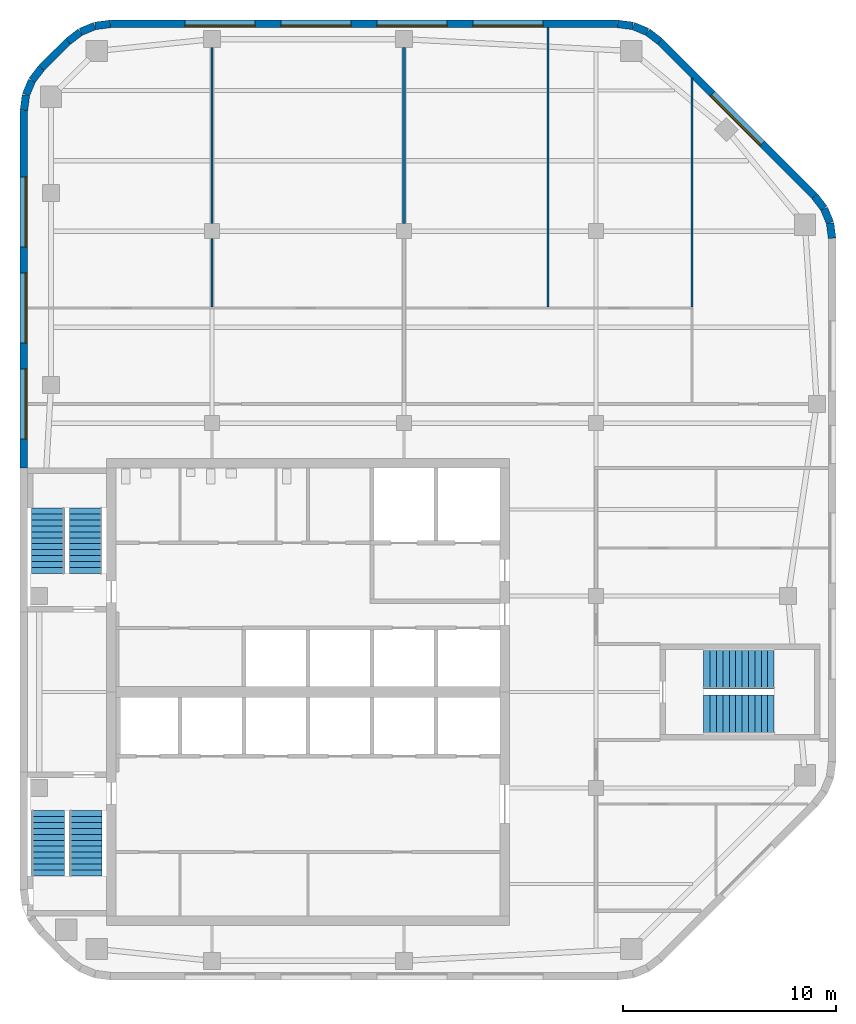
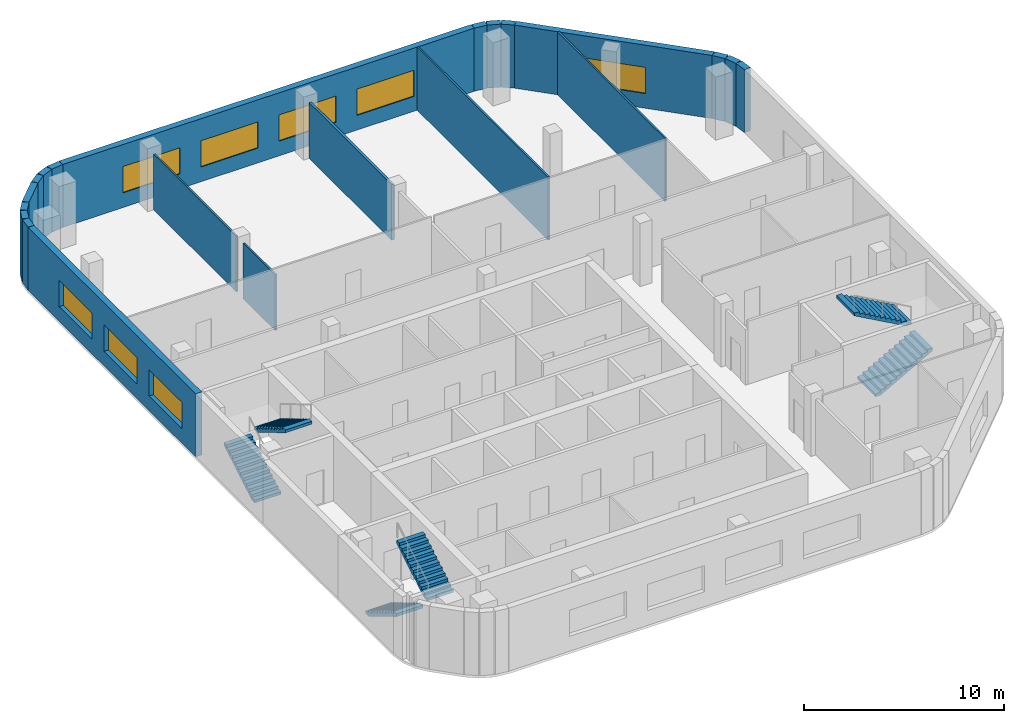
# One storey, part 5 of 7: 21 walls, 8 windows, 6 stair flights, 8 openings, 3 elements without a shape of their own.
"""IFC4 building model written with IfcOpenShell, lengths in metres."""

from ifc_helpers import new_model, si_unit, direction, frame, frame_2d, origin, place, context, subcontext, project, spatial, polyline, rectangle, outline, extrude, material, layer, layer_set, type_object, element, fill, aggregate, save


model = new_model("IFC4")

# Units and contexts
model_context = context("Model", 3, precision=1e-05, world=origin(), true_north=direction((0.0, 1.0)))
body_context = subcontext(model_context, "Body", "Model", "MODEL_VIEW")
ifc_project = project(units=[si_unit("LENGTHUNIT", "METRE"), si_unit("AREAUNIT", "SQUARE_METRE"), si_unit("VOLUMEUNIT", "CUBIC_METRE"), si_unit("PLANEANGLEUNIT", "RADIAN"), si_unit("MASSUNIT", "GRAM", prefix="KILO")], contexts=[model_context])

# Site, building, storey
site_placement = place(None, origin())
site = spatial("IfcSite", under=ifc_project, at=site_placement, CompositionType="ELEMENT")
building_placement = place(site_placement, origin())
building = spatial("IfcBuilding", under=site, at=building_placement, Name="Cinnabar Reach Civic Tower", CompositionType="ELEMENT")
storey_placement = place(building_placement, frame((0.0, 0.0, 263.0)))
storey = spatial("IfcBuildingStorey", under=building, at=storey_placement, Name="L63", CompositionType="ELEMENT", Elevation=263.0)

# Walls
ifc_material_1 = material(Name="Facing brick with insulated backing", Category="masonry")
ifc_layer_1 = layer(ifc_material_1, 0.36)
ifc_layer_set_1 = layer_set([ifc_layer_1], Name="Brick corner wall")
wall_type_1 = type_object("IfcWallType", Name="Brick corner wall", PredefinedType="STANDARD", material=ifc_layer_set_1)
for number, where, z_axis, x_axis, name in (
    (1, (38.067, 52.7686, 0.0), (0.0, 0.0, 1.0), (-0.13055608231, 0.99144092581, 0.0), "Brick corner wall"),
    (2, (37.9681, 53.4973, 0.0), (0.0, 0.0, 1.0), (-0.382702709855, 0.923871547278, 0.0), "Brick corner wall"),
):
    element("IfcWall", number, at=place(storey_placement, frame(where, z_axis=z_axis, x_axis=x_axis)), inside=storey, type_object=wall_type_1, Name=name, PredefinedType="STANDARD", context=body_context, shape_type="SweptSolid", body=[
        extrude(rectangle(XDim=0.7131, YDim=0.36, at=frame_2d((0.3565, 0.0))), origin(), (0.0, 0.0, 1.0), 3.85),
    ])
for number, where, z_axis, x_axis, name in (
    (3, (37.684, 54.1755, 0.0), (0.0, 0.0, 1.0), (-0.608802368033, 0.793321924995, 0.0), "Brick corner wall"),
    (4, (29.9913, 61.9998, 0.0), (0.0, 0.0, 1.0), (-0.793321924995, 0.608802368033, 0.0), "Brick corner wall"),
):
    element("IfcWall", number, at=place(storey_placement, frame(where, z_axis=z_axis, x_axis=x_axis)), inside=storey, type_object=wall_type_1, Name=name, PredefinedType="STANDARD", context=body_context, shape_type="SweptSolid", body=[
        extrude(rectangle(XDim=0.7132, YDim=0.36, at=frame_2d((0.3566, 0.0))), origin(), (0.0, 0.0, 1.0), 3.85),
    ])
for number, where, z_axis, x_axis, name in (
    (5, (29.4061, 62.4452, 0.0), (0.0, 0.0, 1.0), (-0.923871547278, 0.382702709855, 0.0), "Brick corner wall"),
    (6, (28.7256, 62.7239, 0.0), (0.0, 0.0, 1.0), (-0.99144092581, 0.13055608231, 0.0), "Brick corner wall"),
    (7, (4.2314, 62.817, 0.0), (0.0, 0.0, 1.0), (-0.99144092581, -0.13055608231, 0.0), "Brick corner wall"),
    (8, (3.5027, 62.7181, 0.0), (0.0, 0.0, 1.0), (-0.923871547278, -0.382702709855, 0.0), "Brick corner wall"),
):
    element("IfcWall", number, at=place(storey_placement, frame(where, z_axis=z_axis, x_axis=x_axis)), inside=storey, type_object=wall_type_1, Name=name, PredefinedType="STANDARD", context=body_context, shape_type="SweptSolid", body=[
        extrude(rectangle(XDim=0.7131, YDim=0.36, at=frame_2d((0.3565, 0.0))), origin(), (0.0, 0.0, 1.0), 3.85),
    ])
for number, where, z_axis, x_axis, name in (
    (9, (2.8245, 62.434, 0.0), (0.0, 0.0, 1.0), (-0.793321924995, -0.608802368033, 0.0), "Brick corner wall"),
    (10, (1.0002, 60.7413, 0.0), (0.0, 0.0, 1.0), (-0.608802368033, -0.793321924995, 0.0), "Brick corner wall"),
):
    element("IfcWall", number, at=place(storey_placement, frame(where, z_axis=z_axis, x_axis=x_axis)), inside=storey, type_object=wall_type_1, Name=name, PredefinedType="STANDARD", context=body_context, shape_type="SweptSolid", body=[
        extrude(rectangle(XDim=0.7132, YDim=0.36, at=frame_2d((0.3566, 0.0))), origin(), (0.0, 0.0, 1.0), 3.85),
    ])
for number, where, z_axis, x_axis, name in (
    (11, (0.5548, 60.1561, 0.0), (0.0, 0.0, 1.0), (-0.382702709855, -0.923871547278, 0.0), "Brick corner wall"),
    (12, (0.2761, 59.4756, 0.0), (0.0, 0.0, 1.0), (-0.13055608231, -0.99144092581, 0.0), "Brick corner wall"),
):
    element("IfcWall", number, at=place(storey_placement, frame(where, z_axis=z_axis, x_axis=x_axis)), inside=storey, type_object=wall_type_1, Name=name, PredefinedType="STANDARD", context=body_context, shape_type="SweptSolid", body=[
        extrude(rectangle(XDim=0.7131, YDim=0.36, at=frame_2d((0.3565, 0.0))), origin(), (0.0, 0.0, 1.0), 3.85),
    ])

# Wall, opening, window
ifc_layer_2 = layer(ifc_material_1, 0.36)
ifc_layer_set_2 = layer_set([ifc_layer_2], Name="Brick pier and spandrel wall")
wall_type_2 = type_object("IfcWallType", Name="Brick pier and spandrel wall", PredefinedType="STANDARD", material=ifc_layer_set_2)
wall_1_placement = place(storey_placement, frame((37.244, 54.7514, 0.0), z_axis=(0.0, 0.0, 1.0), x_axis=(-0.707106781187, 0.707106781187, 0.0)))
wall_1 = element("IfcWall", 13, at=wall_1_placement, inside=storey, type_object=wall_type_2, Name="Brick facade wall", PredefinedType="STANDARD", context=body_context, shape_type="SweptSolid", body=[
    extrude(rectangle(XDim=10.2426, YDim=0.36, at=frame_2d((5.1213, 0.0))), origin(), (0.0, 0.0, 1.0), 3.85),
])
opening_1_placement = place(wall_1_placement, frame((3.4713, 0.0, 0.9)))
opening_1 = element("IfcOpeningElement", 14, at=opening_1_placement, cuts=wall_1, Name="Opening W2254", PredefinedType="OPENING", context=body_context, shape_type="SweptSolid", body=[
    extrude(rectangle(XDim=3.3, YDim=1.6, at=frame_2d((1.65, 0.8))), frame((0.0, 0.19, 0.0), z_axis=(0.0, -1.0, 0.0), x_axis=(1.0, 0.0, 0.0)), (0.0, 0.0, 1.0), 0.38),
])
ifc_material_2 = material(Name="Clear double glazing in aluminium frame", Category="aluminium")
window_type = type_object("IfcWindowType", Name="Deep-set window A", PartitioningType="SINGLE_PANEL", PredefinedType="WINDOW", material=ifc_material_2)
window_1_placement = place(opening_1_placement, origin())
window_1 = element("IfcWindow", 15, at=window_1_placement, inside=storey, type_object=window_type, Name="Window northeast face", OverallHeight=1.6, OverallWidth=3.3, PartitioningType="SINGLE_PANEL", PredefinedType="WINDOW", context=body_context, shape_type="SweptSolid", body=[
    extrude(rectangle(XDim=3.3, YDim=1.6, at=frame_2d((1.65, 0.8))), frame((0.0, 0.13, 0.0), z_axis=(0.0, -1.0, 0.0), x_axis=(1.0, 0.0, 0.0)), (0.0, 0.0, 1.0), 0.06),
])
fill(opening_1, window_1)

# Wall, openings, windows
wall_2_placement = place(storey_placement, frame((28.0074, 62.82, 0.0), z_axis=(0.0, 0.0, 1.0), x_axis=(-1.0, 0.0, 0.0)))
wall_2 = element("IfcWall", 16, at=wall_2_placement, inside=storey, type_object=wall_type_2, Name="Brick facade wall", PredefinedType="STANDARD", context=body_context, shape_type="SweptSolid", body=[
    extrude(rectangle(XDim=23.7648, YDim=0.36, at=frame_2d((11.8824, 0.0))), origin(), (0.0, 0.0, 1.0), 3.85),
])
opening_2_placement = place(wall_2_placement, frame((3.4824, 0.0, 0.9)))
opening_2 = element("IfcOpeningElement", 17, at=opening_2_placement, cuts=wall_2, Name="Opening W2255", PredefinedType="OPENING", context=body_context, shape_type="SweptSolid", body=[
    extrude(rectangle(XDim=3.3, YDim=1.6, at=frame_2d((1.65, 0.8))), frame((0.0, 0.19, 0.0), z_axis=(0.0, -1.0, 0.0), x_axis=(1.0, 0.0, 0.0)), (0.0, 0.0, 1.0), 0.38),
])
opening_3_placement = place(wall_2_placement, frame((7.9824, 0.0, 0.9)))
opening_3 = element("IfcOpeningElement", 18, at=opening_3_placement, cuts=wall_2, Name="Opening W2256", PredefinedType="OPENING", context=body_context, shape_type="SweptSolid", body=[
    extrude(rectangle(XDim=3.3, YDim=1.6, at=frame_2d((1.65, 0.8))), frame((0.0, 0.19, 0.0), z_axis=(0.0, -1.0, 0.0), x_axis=(1.0, 0.0, 0.0)), (0.0, 0.0, 1.0), 0.38),
])
opening_4_placement = place(wall_2_placement, frame((12.4824, 0.0, 0.9)))
opening_4 = element("IfcOpeningElement", 19, at=opening_4_placement, cuts=wall_2, Name="Opening W2257", PredefinedType="OPENING", context=body_context, shape_type="SweptSolid", body=[
    extrude(rectangle(XDim=3.3, YDim=1.6, at=frame_2d((1.65, 0.8))), frame((0.0, 0.19, 0.0), z_axis=(0.0, -1.0, 0.0), x_axis=(1.0, 0.0, 0.0)), (0.0, 0.0, 1.0), 0.38),
])
opening_5_placement = place(wall_2_placement, frame((16.9824, 0.0, 0.9)))
opening_5 = element("IfcOpeningElement", 20, at=opening_5_placement, cuts=wall_2, Name="Opening W2258", PredefinedType="OPENING", context=body_context, shape_type="SweptSolid", body=[
    extrude(rectangle(XDim=3.3, YDim=1.6, at=frame_2d((1.65, 0.8))), frame((0.0, 0.19, 0.0), z_axis=(0.0, -1.0, 0.0), x_axis=(1.0, 0.0, 0.0)), (0.0, 0.0, 1.0), 0.38),
])
window_2_placement = place(opening_2_placement, origin())
window_2 = element("IfcWindow", 21, at=window_2_placement, inside=storey, type_object=window_type, Name="Window north face", OverallHeight=1.6, OverallWidth=3.3, PartitioningType="SINGLE_PANEL", PredefinedType="WINDOW", context=body_context, shape_type="SweptSolid", body=[
    extrude(rectangle(XDim=3.3, YDim=1.6, at=frame_2d((1.65, 0.8))), frame((0.0, 0.13, 0.0), z_axis=(0.0, -1.0, 0.0), x_axis=(1.0, 0.0, 0.0)), (0.0, 0.0, 1.0), 0.06),
])
fill(opening_2, window_2)
window_3_placement = place(opening_3_placement, origin())
window_3 = element("IfcWindow", 22, at=window_3_placement, inside=storey, type_object=window_type, Name="Window north face", OverallHeight=1.6, OverallWidth=3.3, PartitioningType="SINGLE_PANEL", PredefinedType="WINDOW", context=body_context, shape_type="SweptSolid", body=[
    extrude(rectangle(XDim=3.3, YDim=1.6, at=frame_2d((1.65, 0.8))), frame((0.0, 0.13, 0.0), z_axis=(0.0, -1.0, 0.0), x_axis=(1.0, 0.0, 0.0)), (0.0, 0.0, 1.0), 0.06),
])
fill(opening_3, window_3)
window_4_placement = place(opening_4_placement, origin())
window_4 = element("IfcWindow", 23, at=window_4_placement, inside=storey, type_object=window_type, Name="Window north face", OverallHeight=1.6, OverallWidth=3.3, PartitioningType="SINGLE_PANEL", PredefinedType="WINDOW", context=body_context, shape_type="SweptSolid", body=[
    extrude(rectangle(XDim=3.3, YDim=1.6, at=frame_2d((1.65, 0.8))), frame((0.0, 0.13, 0.0), z_axis=(0.0, -1.0, 0.0), x_axis=(1.0, 0.0, 0.0)), (0.0, 0.0, 1.0), 0.06),
])
fill(opening_4, window_4)
window_5_placement = place(opening_5_placement, origin())
window_5 = element("IfcWindow", 24, at=window_5_placement, inside=storey, type_object=window_type, Name="Window north face", OverallHeight=1.6, OverallWidth=3.3, PartitioningType="SINGLE_PANEL", PredefinedType="WINDOW", context=body_context, shape_type="SweptSolid", body=[
    extrude(rectangle(XDim=3.3, YDim=1.6, at=frame_2d((1.65, 0.8))), frame((0.0, 0.13, 0.0), z_axis=(0.0, -1.0, 0.0), x_axis=(1.0, 0.0, 0.0)), (0.0, 0.0, 1.0), 0.06),
])
fill(opening_5, window_5)

# Wall
wall_3_placement = place(storey_placement, frame((2.2486, 61.994, 0.0), z_axis=(0.0, 0.0, 1.0), x_axis=(-0.707106781187, -0.707106781187, 0.0)))
element("IfcWall", 25, at=wall_3_placement, inside=storey, type_object=wall_type_2, Name="Brick facade wall", PredefinedType="STANDARD", context=body_context, shape_type="SweptSolid", body=[
    extrude(rectangle(XDim=1.7573, YDim=0.36, at=frame_2d((0.8787, 0.0))), origin(), (0.0, 0.0, 1.0), 3.85),
])

# Wall, openings, windows
wall_4_placement = place(storey_placement, frame((0.18, 58.7574, 0.0), z_axis=(0.0, 0.0, 1.0), x_axis=(0.0, -1.0, 0.0)))
wall_4 = element("IfcWall", 26, at=wall_4_placement, inside=storey, type_object=wall_type_2, Name="Brick facade wall", PredefinedType="STANDARD", context=body_context, shape_type="SweptSolid", body=[
    extrude(rectangle(XDim=16.7574, YDim=0.36, at=frame_2d((8.3787, 0.0))), origin(), (0.0, 0.0, 1.0), 3.85),
])
opening_6_placement = place(wall_4_placement, frame((3.1074, 0.0, 0.9)))
opening_6 = element("IfcOpeningElement", 27, at=opening_6_placement, cuts=wall_4, Name="Opening W2259", PredefinedType="OPENING", context=body_context, shape_type="SweptSolid", body=[
    extrude(rectangle(XDim=3.3, YDim=1.6, at=frame_2d((1.65, 0.8))), frame((0.0, 0.19, 0.0), z_axis=(0.0, -1.0, 0.0), x_axis=(1.0, 0.0, 0.0)), (0.0, 0.0, 1.0), 0.38),
])
opening_7_placement = place(wall_4_placement, frame((7.6074, 0.0, 0.9)))
opening_7 = element("IfcOpeningElement", 28, at=opening_7_placement, cuts=wall_4, Name="Opening W2260", PredefinedType="OPENING", context=body_context, shape_type="SweptSolid", body=[
    extrude(rectangle(XDim=3.3, YDim=1.6, at=frame_2d((1.65, 0.8))), frame((0.0, 0.19, 0.0), z_axis=(0.0, -1.0, 0.0), x_axis=(1.0, 0.0, 0.0)), (0.0, 0.0, 1.0), 0.38),
])
opening_8_placement = place(wall_4_placement, frame((12.1074, 0.0, 0.9)))
opening_8 = element("IfcOpeningElement", 29, at=opening_8_placement, cuts=wall_4, Name="Opening W2261", PredefinedType="OPENING", context=body_context, shape_type="SweptSolid", body=[
    extrude(rectangle(XDim=3.3, YDim=1.6, at=frame_2d((1.65, 0.8))), frame((0.0, 0.19, 0.0), z_axis=(0.0, -1.0, 0.0), x_axis=(1.0, 0.0, 0.0)), (0.0, 0.0, 1.0), 0.38),
])
window_6_placement = place(opening_6_placement, origin())
window_6 = element("IfcWindow", 30, at=window_6_placement, inside=storey, type_object=window_type, Name="Window west face", OverallHeight=1.6, OverallWidth=3.3, PartitioningType="SINGLE_PANEL", PredefinedType="WINDOW", context=body_context, shape_type="SweptSolid", body=[
    extrude(rectangle(XDim=3.3, YDim=1.6, at=frame_2d((1.65, 0.8))), frame((0.0, 0.13, 0.0), z_axis=(0.0, -1.0, 0.0), x_axis=(1.0, 0.0, 0.0)), (0.0, 0.0, 1.0), 0.06),
])
fill(opening_6, window_6)
window_7_placement = place(opening_7_placement, origin())
window_7 = element("IfcWindow", 31, at=window_7_placement, inside=storey, type_object=window_type, Name="Window west face", OverallHeight=1.6, OverallWidth=3.3, PartitioningType="SINGLE_PANEL", PredefinedType="WINDOW", context=body_context, shape_type="SweptSolid", body=[
    extrude(rectangle(XDim=3.3, YDim=1.6, at=frame_2d((1.65, 0.8))), frame((0.0, 0.13, 0.0), z_axis=(0.0, -1.0, 0.0), x_axis=(1.0, 0.0, 0.0)), (0.0, 0.0, 1.0), 0.06),
])
fill(opening_7, window_7)
window_8_placement = place(opening_8_placement, origin())
window_8 = element("IfcWindow", 32, at=window_8_placement, inside=storey, type_object=window_type, Name="Window west face", OverallHeight=1.6, OverallWidth=3.3, PartitioningType="SINGLE_PANEL", PredefinedType="WINDOW", context=body_context, shape_type="SweptSolid", body=[
    extrude(rectangle(XDim=3.3, YDim=1.6, at=frame_2d((1.65, 0.8))), frame((0.0, 0.13, 0.0), z_axis=(0.0, -1.0, 0.0), x_axis=(1.0, 0.0, 0.0)), (0.0, 0.0, 1.0), 0.06),
])
fill(opening_8, window_8)

# Walls
ifc_material_3 = material(Name="Gypsum board on steel studs", Category="steel")
ifc_layer_3 = layer(ifc_material_3, 0.1)
ifc_layer_set_3 = layer_set([ifc_layer_3], Name="Partition wall 100 T1")
wall_type_3 = type_object("IfcWallType", Name="Partition wall 100 T1", PredefinedType="PARTITIONING", material=ifc_layer_set_3)
wall_5_placement = place(storey_placement, frame((31.5, 49.55, 0.0), z_axis=(0.0, 0.0, 1.0), x_axis=(0.0, 1.0, 0.0)))
element("IfcWall", 33, at=wall_5_placement, inside=storey, type_object=wall_type_3, Name="Partition wall 40", PredefinedType="PARTITIONING", context=body_context, shape_type="SweptSolid", body=[
    extrude(rectangle(XDim=10.7409, YDim=0.1, at=frame_2d((5.3704, 0.0))), origin(), (0.0, 0.0, 1.0), 3.85),
])
wall_6_placement = place(storey_placement, frame((9.0, 49.55, 0.0), z_axis=(0.0, 0.0, 1.0), x_axis=(0.0, 1.0, 0.0)))
element("IfcWall", 34, at=wall_6_placement, inside=storey, type_object=wall_type_3, Name="Partition wall 41", PredefinedType="PARTITIONING", context=body_context, shape_type="SweptSolid", body=[
    extrude(rectangle(XDim=3.2, YDim=0.1, at=frame_2d((1.6, 0.0))), origin(), (0.0, 0.0, 1.0), 3.4),
])
wall_7_placement = place(storey_placement, frame((9.0, 53.45, 0.0), z_axis=(0.0, 0.0, 1.0), x_axis=(0.0, 1.0, 0.0)))
element("IfcWall", 35, at=wall_7_placement, inside=storey, type_object=wall_type_3, Name="Partition wall 42", PredefinedType="PARTITIONING", context=body_context, shape_type="SweptSolid", body=[
    extrude(rectangle(XDim=8.25, YDim=0.1, at=frame_2d((4.125, 0.0))), origin(), (0.0, 0.0, 1.0), 3.4),
])
wall_8_placement = place(storey_placement, frame((24.75, 49.55, 0.0), z_axis=(0.0, 0.0, 1.0), x_axis=(0.0, 1.0, 0.0)))
element("IfcWall", 36, at=wall_8_placement, inside=storey, type_object=wall_type_3, Name="Partition wall 43", PredefinedType="PARTITIONING", context=body_context, shape_type="SweptSolid", body=[
    extrude(rectangle(XDim=13.09, YDim=0.1, at=frame_2d((6.545, 0.0))), origin(), (0.0, 0.0, 1.0), 3.85),
])
ifc_material_4 = material(Name="Gypsum board on steel studs, double layer", Category="steel")
ifc_layer_4 = layer(ifc_material_4, 0.15)
ifc_layer_set_4 = layer_set([ifc_layer_4], Name="Tenancy separating wall 150 T1")
wall_type_4 = type_object("IfcWallType", Name="Tenancy separating wall 150 T1", PredefinedType="PARTITIONING", material=ifc_layer_set_4)
wall_9_placement = place(storey_placement, frame((18.0, 53.45, 0.0), z_axis=(0.0, 0.0, 1.0), x_axis=(0.0, 1.0, 0.0)))
element("IfcWall", 37, at=wall_9_placement, inside=storey, type_object=wall_type_4, Name="Tenancy separating wall 35", PredefinedType="PARTITIONING", context=body_context, shape_type="SweptSolid", body=[
    extrude(rectangle(XDim=8.25, YDim=0.15, at=frame_2d((4.125, 0.0))), origin(), (0.0, 0.0, 1.0), 3.4),
])

# Stair, stair flights
ifc_material_5 = material(Name="Concrete C40/50", Category="concrete")
stair_type = type_object("IfcStairType", Name="T1 Exit stair, half-turn", PredefinedType="HALF_TURN_STAIR", material=ifc_material_5)
stair_1_placement = place(storey_placement, origin())
stair_1 = element("IfcStair", 38, at=stair_1_placement, inside=storey, type_object=stair_type, Name="Stair T1-S1", PredefinedType="HALF_TURN_STAIR")
stair_flight_type = type_object("IfcStairFlightType", Name="T1 Stair flight, concrete", PredefinedType="STRAIGHT", material=ifc_material_5)
stair_flight_1_placement = place(storey_placement, frame((1.3125, 25.95, 0.0), z_axis=(0.0, 0.0, 1.0), x_axis=(0.0, -1.0, 0.0)))
stair_flight_1 = element("IfcStairFlight", 39, at=stair_flight_1_placement, type_object=stair_flight_type, Name="T1-S1 flight 1", NumberOfRisers=12, NumberOfTreads=11, PredefinedType="STRAIGHT", RiserHeight=0.166666667, TreadLength=0.28, context=body_context, shape_type="SweptSolid", body=[
    extrude(outline(polyline([(0.0, 0.0), (0.0, 0.1667), (0.28, 0.1667), (0.28, 0.3333), (0.56, 0.3333), (0.56, 0.5), (0.84, 0.5), (0.84, 0.6667), (1.12, 0.6667), (1.12, 0.8333), (1.4, 0.8333), (1.4, 1.0), (1.68, 1.0), (1.68, 1.1667), (1.96, 1.1667), (1.96, 1.3333), (2.24, 1.3333), (2.24, 1.5), (2.52, 1.5), (2.52, 1.6667), (2.8, 1.6667), (2.8, 1.8333), (3.08, 1.8333), (3.08, 2.0), (3.08, 1.6588), (0.2933, 0.0), (0.0, 0.0)])), frame((0.0, 0.7625, 0.0), z_axis=(0.0, -1.0, 0.0), x_axis=(1.0, 0.0, 0.0)), (0.0, 0.0, 1.0), 1.525),
])
stair_flight_2_placement = place(storey_placement, frame((3.0875, 22.87, 2.0), z_axis=(0.0, 0.0, 1.0), x_axis=(0.0, 1.0, 0.0)))
stair_flight_2 = element("IfcStairFlight", 40, at=stair_flight_2_placement, type_object=stair_flight_type, Name="T1-S1 flight 2", NumberOfRisers=12, NumberOfTreads=11, PredefinedType="STRAIGHT", RiserHeight=0.166666667, TreadLength=0.28, context=body_context, shape_type="SweptSolid", body=[
    extrude(outline(polyline([(0.0, 0.0), (0.0, 0.1667), (0.28, 0.1667), (0.28, 0.3333), (0.56, 0.3333), (0.56, 0.5), (0.84, 0.5), (0.84, 0.6667), (1.12, 0.6667), (1.12, 0.8333), (1.4, 0.8333), (1.4, 1.0), (1.68, 1.0), (1.68, 1.1667), (1.96, 1.1667), (1.96, 1.3333), (2.24, 1.3333), (2.24, 1.5), (2.52, 1.5), (2.52, 1.6667), (2.8, 1.6667), (2.8, 1.8333), (3.08, 1.8333), (3.08, 2.0), (3.08, 1.6588), (0.2933, 0.0), (0.0, 0.0)])), frame((0.0, 0.7625, 0.0), z_axis=(0.0, -1.0, 0.0), x_axis=(1.0, 0.0, 0.0)), (0.0, 0.0, 1.0), 1.525),
])
aggregate(stair_1, [stair_flight_1, stair_flight_2])

stair_2_placement = place(storey_placement, origin())
stair_2 = element("IfcStair", 41, at=stair_2_placement, inside=storey, type_object=stair_type, Name="Stair T1-S2", PredefinedType="HALF_TURN_STAIR")
stair_flight_3_placement = place(storey_placement, frame((1.3125, 37.05, 0.0), z_axis=(0.0, 0.0, 1.0), x_axis=(0.0, 1.0, 0.0)))
stair_flight_3 = element("IfcStairFlight", 42, at=stair_flight_3_placement, type_object=stair_flight_type, Name="T1-S2 flight 1", NumberOfRisers=12, NumberOfTreads=11, PredefinedType="STRAIGHT", RiserHeight=0.166666667, TreadLength=0.28, context=body_context, shape_type="SweptSolid", body=[
    extrude(outline(polyline([(0.0, 0.0), (0.0, 0.1667), (0.28, 0.1667), (0.28, 0.3333), (0.56, 0.3333), (0.56, 0.5), (0.84, 0.5), (0.84, 0.6667), (1.12, 0.6667), (1.12, 0.8333), (1.4, 0.8333), (1.4, 1.0), (1.68, 1.0), (1.68, 1.1667), (1.96, 1.1667), (1.96, 1.3333), (2.24, 1.3333), (2.24, 1.5), (2.52, 1.5), (2.52, 1.6667), (2.8, 1.6667), (2.8, 1.8333), (3.08, 1.8333), (3.08, 2.0), (3.08, 1.6588), (0.2933, 0.0), (0.0, 0.0)])), frame((0.0, 0.7625, 0.0), z_axis=(0.0, -1.0, 0.0), x_axis=(1.0, 0.0, 0.0)), (0.0, 0.0, 1.0), 1.525),
])
stair_flight_4_placement = place(storey_placement, frame((3.0875, 40.13, 2.0), z_axis=(0.0, 0.0, 1.0), x_axis=(0.0, -1.0, 0.0)))
stair_flight_4 = element("IfcStairFlight", 43, at=stair_flight_4_placement, type_object=stair_flight_type, Name="T1-S2 flight 2", NumberOfRisers=12, NumberOfTreads=11, PredefinedType="STRAIGHT", RiserHeight=0.166666667, TreadLength=0.28, context=body_context, shape_type="SweptSolid", body=[
    extrude(outline(polyline([(0.0, 0.0), (0.0, 0.1667), (0.28, 0.1667), (0.28, 0.3333), (0.56, 0.3333), (0.56, 0.5), (0.84, 0.5), (0.84, 0.6667), (1.12, 0.6667), (1.12, 0.8333), (1.4, 0.8333), (1.4, 1.0), (1.68, 1.0), (1.68, 1.1667), (1.96, 1.1667), (1.96, 1.3333), (2.24, 1.3333), (2.24, 1.5), (2.52, 1.5), (2.52, 1.6667), (2.8, 1.6667), (2.8, 1.8333), (3.08, 1.8333), (3.08, 2.0), (3.08, 1.6588), (0.2933, 0.0), (0.0, 0.0)])), frame((0.0, 0.7625, 0.0), z_axis=(0.0, -1.0, 0.0), x_axis=(1.0, 0.0, 0.0)), (0.0, 0.0, 1.0), 1.525),
])
aggregate(stair_2, [stair_flight_3, stair_flight_4])

stair_3_placement = place(storey_placement, origin())
stair_3 = element("IfcStair", 44, at=stair_3_placement, inside=storey, type_object=stair_type, Name="Stair T1-S3", PredefinedType="HALF_TURN_STAIR")
stair_flight_5_placement = place(storey_placement, frame((32.05, 30.45, 0.0), z_axis=(0.0, 0.0, 1.0), x_axis=(1.0, 0.0, 0.0)))
stair_flight_5 = element("IfcStairFlight", 45, at=stair_flight_5_placement, type_object=stair_flight_type, Name="T1-S3 flight 1", NumberOfRisers=12, NumberOfTreads=11, PredefinedType="STRAIGHT", RiserHeight=0.166666667, TreadLength=0.3, context=body_context, shape_type="SweptSolid", body=[
    extrude(outline(polyline([(0.0, 0.0), (0.0, 0.1667), (0.3, 0.1667), (0.3, 0.3333), (0.6, 0.3333), (0.6, 0.5), (0.9, 0.5), (0.9, 0.6667), (1.2, 0.6667), (1.2, 0.8333), (1.5, 0.8333), (1.5, 1.0), (1.8, 1.0), (1.8, 1.1667), (2.1, 1.1667), (2.1, 1.3333), (2.4, 1.3333), (2.4, 1.5), (2.7, 1.5), (2.7, 1.6667), (3.0, 1.6667), (3.0, 1.8333), (3.3, 1.8333), (3.3, 2.0), (3.3, 1.6617), (0.3089, 0.0), (0.0, 0.0)])), frame((0.0, 0.9, 0.0), z_axis=(0.0, -1.0, 0.0), x_axis=(1.0, 0.0, 0.0)), (0.0, 0.0, 1.0), 1.8),
])
stair_flight_6_placement = place(storey_placement, frame((35.35, 32.55, 2.0), z_axis=(0.0, 0.0, 1.0), x_axis=(-1.0, 0.0, 0.0)))
stair_flight_6 = element("IfcStairFlight", 46, at=stair_flight_6_placement, type_object=stair_flight_type, Name="T1-S3 flight 2", NumberOfRisers=12, NumberOfTreads=11, PredefinedType="STRAIGHT", RiserHeight=0.166666667, TreadLength=0.3, context=body_context, shape_type="SweptSolid", body=[
    extrude(outline(polyline([(0.0, 0.0), (0.0, 0.1667), (0.3, 0.1667), (0.3, 0.3333), (0.6, 0.3333), (0.6, 0.5), (0.9, 0.5), (0.9, 0.6667), (1.2, 0.6667), (1.2, 0.8333), (1.5, 0.8333), (1.5, 1.0), (1.8, 1.0), (1.8, 1.1667), (2.1, 1.1667), (2.1, 1.3333), (2.4, 1.3333), (2.4, 1.5), (2.7, 1.5), (2.7, 1.6667), (3.0, 1.6667), (3.0, 1.8333), (3.3, 1.8333), (3.3, 2.0), (3.3, 1.6617), (0.3089, 0.0), (0.0, 0.0)])), frame((0.0, 0.9, 0.0), z_axis=(0.0, -1.0, 0.0), x_axis=(1.0, 0.0, 0.0)), (0.0, 0.0, 1.0), 1.8),
])
aggregate(stair_3, [stair_flight_5, stair_flight_6])

save(model, "model.ifc")
